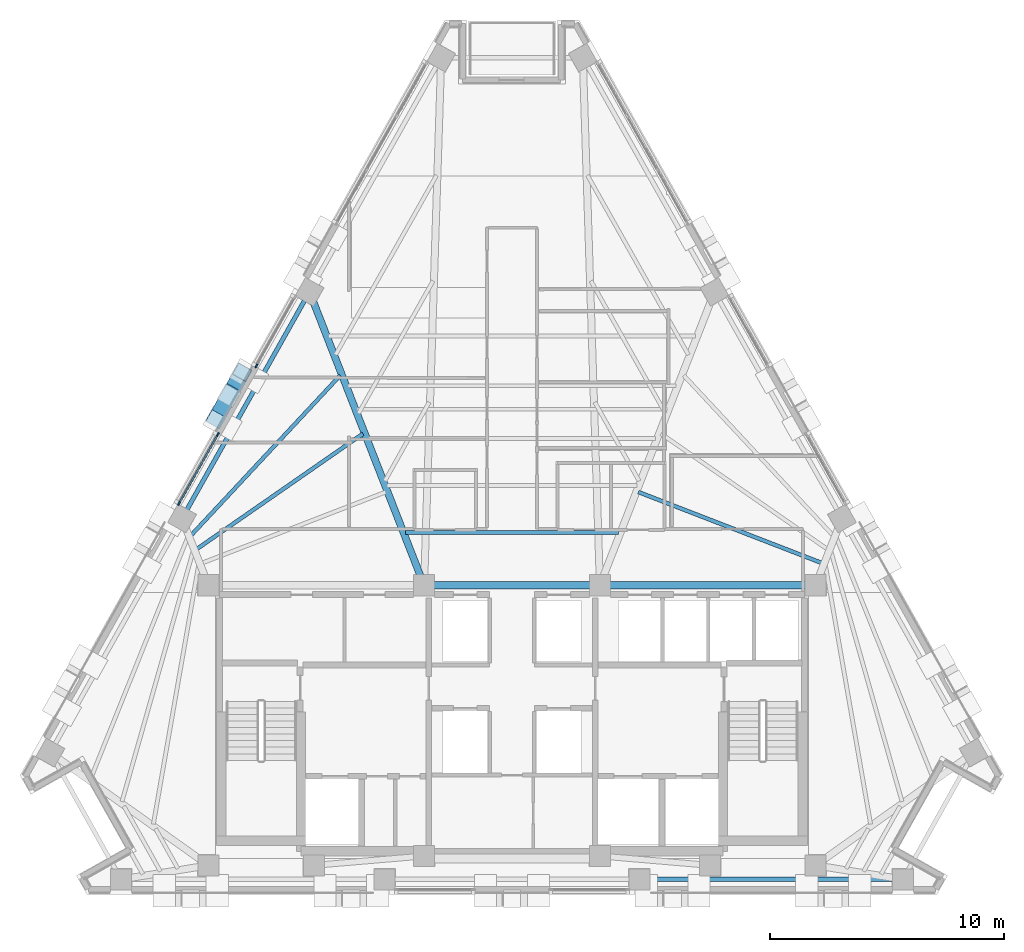
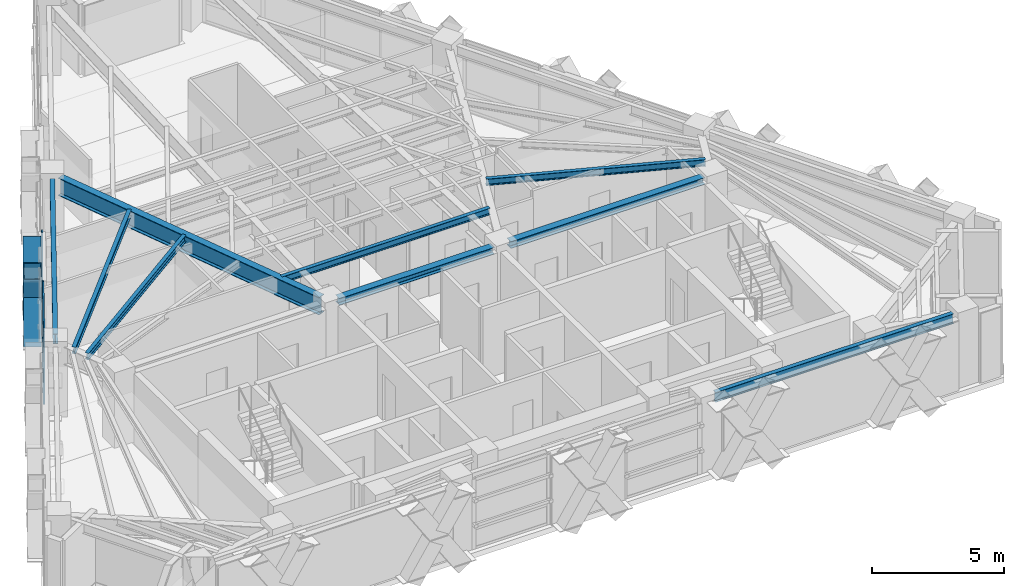
# One storey, part 3 of 15: 9 beams, 9 members, 2 elements without a shape of their own.
"""IFC4 building model written with IfcOpenShell, lengths in metres."""

import ifcopenshell
import ifcopenshell.guid

model = None  # the IFC model being written
_history = None  # IfcOwnerHistory: only IFC2X3 demands one
_inside = {}  # id of a spatial element -> (the spatial element, [elements in it])
_under = {}  # id of a project, library or spatial element -> (it, [spatial elements below it])
_declared = {}  # id of a project -> (the project, [libraries it declares])
_typed = {}  # id of a type object -> (the type object, [elements of that type])
_made_of = {}  # id of a material, layer set ... -> (it, [elements and type objects made of it])


def new_model(schema):
    """Start an empty IFC model of exactly this schema.

    Asked for "IFC4X3", IfcOpenShell would pick the latest addendum, in which some entities
    have other attributes; the version numbers below select the first issue.
    IFC2X3 requires an IfcOwnerHistory on every rooted entity: one is made here for all.
    """
    global model, _history
    if schema == "IFC4X3":
        model = ifcopenshell.file(schema_version=(4, 3, 0, 0))
    else:
        model = ifcopenshell.file(schema=schema)
    _inside.clear()
    _under.clear()
    _declared.clear()
    _typed.clear()
    _made_of.clear()
    _history = None
    if model.schema == "IFC2X3":
        org = make("IfcOrganization", Name="unknown")
        user = make(
            "IfcPersonAndOrganization",
            ThePerson=make("IfcPerson", FamilyName="unknown"),
            TheOrganization=org,
        )
        app = make(
            "IfcApplication",
            ApplicationDeveloper=org,
            Version="unknown",
            ApplicationFullName="unknown",
            ApplicationIdentifier="unknown",
        )
        _history = make(
            "IfcOwnerHistory",
            OwningUser=user,
            OwningApplication=app,
            ChangeAction="ADDED",
            CreationDate=0,
        )
    return model


def make(cls, **values):
    """One entity of the class cls with the attributes given. An attribute that is None is left unset."""
    return model.create_entity(
        cls, **{name: value for name, value in values.items() if value is not None}
    )


def rooted(cls, **values):
    """An entity with a GlobalId (a new one), such as an element, a storey or a relation."""
    return make(cls, GlobalId=ifcopenshell.guid.new(), OwnerHistory=_history, **values)


def si_unit(unit_type, name, prefix=None):
    """IfcSIUnit, for example si_unit("LENGTHUNIT", "METRE", prefix="MILLI")."""
    return make("IfcSIUnit", UnitType=unit_type, Prefix=prefix, Name=name)


def assignment(units):
    """IfcUnitAssignment: the units of a project."""
    return None if units is None else make("IfcUnitAssignment", Units=units)


def point(xyz):
    """IfcCartesianPoint."""
    return None if xyz is None else make("IfcCartesianPoint", Coordinates=xyz)


def direction(xyz):
    """IfcDirection."""
    return None if xyz is None else make("IfcDirection", DirectionRatios=xyz)


def frame(location, z_axis=None, x_axis=None):
    """IfcAxis2Placement3D, a coordinate frame: its origin and axes. An axis left out is left unset."""
    return make(
        "IfcAxis2Placement3D",
        Location=point(location),
        Axis=direction(z_axis),
        RefDirection=direction(x_axis),
    )


def frame_2d(location, x_axis=None):
    """IfcAxis2Placement2D, a coordinate frame in the plane: its origin and x axis."""
    return make(
        "IfcAxis2Placement2D", Location=point(location), RefDirection=direction(x_axis)
    )


def origin():
    """The frame at (0, 0, 0) with its axes left unset."""
    return frame((0.0, 0.0, 0.0))


def origin_2d():
    """The frame at (0, 0) in the plane with its x axis left unset."""
    return frame_2d((0.0, 0.0))


def place(relative_to, where):
    """IfcLocalPlacement: puts the frame where relative to a parent placement (None: the world)."""
    return make(
        "IfcLocalPlacement", PlacementRelTo=relative_to, RelativePlacement=where
    )


def context(
    kind, dimensions, precision=None, world=None, true_north=None, identifier=None
):
    """IfcGeometricRepresentationContext, for example the 3D "Model" context."""
    return make(
        "IfcGeometricRepresentationContext",
        ContextIdentifier=identifier,
        ContextType=kind,
        CoordinateSpaceDimension=dimensions,
        Precision=precision,
        WorldCoordinateSystem=world,
        TrueNorth=true_north,
    )


def subcontext(parent, identifier, kind, view, scale=None):
    """IfcGeometricRepresentationSubContext, for example "Body" below "Model"."""
    return make(
        "IfcGeometricRepresentationSubContext",
        ContextIdentifier=identifier,
        ContextType=kind,
        ParentContext=parent,
        TargetScale=scale,
        TargetView=view,
    )


def project(units=None, contexts=None):
    """IfcProject with its units and contexts."""
    return rooted(
        "IfcProject",
        Name="project",
        RepresentationContexts=contexts,
        UnitsInContext=assignment(units),
    )


def spatial(cls, under=None, at=None, **own):
    """A site, building, storey or space (cls), placed at a placement, below another one or the project."""
    s = rooted(cls, ObjectPlacement=at, **own)
    if under is not None:
        _under.setdefault(under.id(), (under, []))[1].append(s)
    return s


def profile(cls, at=None, kind="AREA", **sizes):
    """A parametric profile (cls). Its sizes go by their IFC names, for example OverallWidth=200.0."""
    return make(cls, ProfileType=kind, Position=at, **sizes)


def rectangle(**sizes):
    """IfcRectangleProfileDef."""
    return profile("IfcRectangleProfileDef", **sizes)


def hollow_rectangle(**sizes):
    """IfcRectangleHollowProfileDef."""
    return profile("IfcRectangleHollowProfileDef", **sizes)


def i_section(**sizes):
    """IfcIShapeProfileDef."""
    return profile("IfcIShapeProfileDef", **sizes)


def extrude(swept, where, along, depth):
    """IfcExtrudedAreaSolid: the profile swept, set in the frame where, extruded along a direction by depth."""
    return make(
        "IfcExtrudedAreaSolid",
        SweptArea=swept,
        Position=where,
        ExtrudedDirection=direction(along),
        Depth=depth,
    )


def shape(context_of_items, identifier, shape_type, items):
    """IfcShapeRepresentation: the items that make up one representation, for example the "Body"."""
    return make(
        "IfcShapeRepresentation",
        ContextOfItems=context_of_items,
        RepresentationIdentifier=identifier,
        RepresentationType=shape_type,
        Items=items,
    )


def material(Name=None, Category=None):
    """IfcMaterial."""
    return make("IfcMaterial", Name=Name, Category=Category)


def material_profile(
    of_material, cross_section, Name=None, Category=None, Priority=None
):
    """IfcMaterialProfile: a cross section and its material."""
    return make(
        "IfcMaterialProfile",
        Name=Name,
        Material=of_material,
        Profile=cross_section,
        Priority=Priority,
        Category=Category,
    )


def profile_set(profiles, Name=None, composite=None):
    """IfcMaterialProfileSet."""
    return make(
        "IfcMaterialProfileSet",
        Name=Name,
        MaterialProfiles=profiles,
        CompositeProfile=composite,
    )


def made_of(thing, what):
    """Note that an element or type object is made of a material, layer set ...; save() writes the relation."""
    if what is not None:
        _made_of.setdefault(what.id(), (what, []))[1].append(thing)
    return thing


def type_object(cls, material=None, **own):
    """A type object (cls), such as IfcWallType, which elements share."""
    return made_of(rooted(cls, **own), material)


def element(
    cls,
    number,
    at=None,
    inside=None,
    cuts=None,
    type_object=None,
    material=None,
    context=None,
    identifier="Body",
    shape_type=None,
    held_by="IfcProductDefinitionShape",
    body=None,
    shapes=None,
    **own,
):
    """One element of the class cls, such as IfcWall. Its Tag is "e" and its number.

    at: its placement. inside: the storey or other place that contains it. cuts: it is an
    opening in that element (IfcRelVoidsElement). A single representation is given by context,
    identifier, shape_type and body (its items); several are given by shapes. held_by: the class
    of the entity that holds the representations. save() writes the other relations.
    """
    e = rooted(cls, Tag="e%d" % number, ObjectPlacement=at, **own)
    if body is not None:
        shapes = [shape(context, identifier, shape_type, body)]
    if shapes is not None:
        e.Representation = make(held_by, Representations=shapes)
    if inside is not None:
        _inside.setdefault(inside.id(), (inside, []))[1].append(e)
    if cuts is not None:
        rooted(
            "IfcRelVoidsElement", RelatingBuildingElement=cuts, RelatedOpeningElement=e
        )
    if type_object is not None:
        _typed.setdefault(type_object.id(), (type_object, []))[1].append(e)
    return made_of(e, material)


def aggregate(whole, parts):
    """IfcRelAggregates: a whole, such as a stair, and the parts it consists of."""
    return rooted("IfcRelAggregates", RelatingObject=whole, RelatedObjects=parts)


def save(model, path):
    """Write the relations noted so far, then the file.

    IfcRelAggregates (storeys below a building ...), IfcRelContainedInSpatialStructure (elements
    in a storey), IfcRelDefinesByType, IfcRelAssociatesMaterial and IfcRelDeclares: one each for
    every whole, place, type object, material and project.
    """
    for whole, parts in _under.values():
        aggregate(whole, parts)
    for where, things in _inside.values():
        rooted(
            "IfcRelContainedInSpatialStructure",
            RelatedElements=things,
            RelatingStructure=where,
        )
    for kind, things in _typed.values():
        rooted("IfcRelDefinesByType", RelatedObjects=things, RelatingType=kind)
    for what, things in _made_of.values():
        rooted("IfcRelAssociatesMaterial", RelatedObjects=things, RelatingMaterial=what)
    for by, libraries in _declared.values():
        rooted("IfcRelDeclares", RelatingContext=by, RelatedDefinitions=libraries)
    model.write(path)


model = new_model("IFC4")

# Units and contexts
model_context = context("Model", 3, precision=1e-05, world=origin(), true_north=direction((0.0, 1.0)))
body_context = subcontext(model_context, "Body", "Model", "MODEL_VIEW")
ifc_project = project(units=[si_unit("LENGTHUNIT", "METRE"), si_unit("AREAUNIT", "SQUARE_METRE"), si_unit("VOLUMEUNIT", "CUBIC_METRE"), si_unit("PLANEANGLEUNIT", "RADIAN"), si_unit("MASSUNIT", "GRAM", prefix="KILO")], contexts=[model_context])

# Site, building, storey
site_placement = place(None, origin())
site = spatial("IfcSite", under=ifc_project, at=site_placement, CompositionType="ELEMENT")
building_placement = place(site_placement, origin())
building = spatial("IfcBuilding", under=site, at=building_placement, Name="Quenlor Broadcast Tower", CompositionType="ELEMENT")
storey_placement = place(building_placement, frame((0.0, 0.0, 183.39990234375)))
storey = spatial("IfcBuildingStorey", under=building, at=storey_placement, Name="L50", CompositionType="ELEMENT", Elevation=183.39990234375)

# Curtain wall, members
ifc_material_1 = material(Name="Architectural Terracotta and Low-E Glazing", Category="masonry")
curtain_wall_type = type_object("IfcCurtainWallType", Name="Unitised Terracotta Curtain Wall System Z4", PredefinedType="NOTDEFINED", material=ifc_material_1)
curtain_wall_1_placement = place(storey_placement, origin())
curtain_wall_1 = element("IfcCurtainWall", 1, at=curtain_wall_1_placement, inside=storey, type_object=curtain_wall_type, Name="L50 Curtain Wall CW4 (L50-NW-G1)", PredefinedType="NOTDEFINED")
ifc_material_2 = material(Name="Aluminium 6063-T6", Category="aluminium")
ifc_material_profile_1 = material_profile(ifc_material_2, rectangle(XDim=0.068115234375, YDim=0.179931640625, at=origin_2d()))
ifc_profile_set_1 = profile_set([ifc_material_profile_1], Name="Aluminium 6063-T6 MULL68x180")
member_type_1 = type_object("IfcMemberType", Name="CW4 Aluminium Mullion MULL_CW4", PredefinedType="MULLION", material=ifc_profile_set_1)
member_1_placement = place(storey_placement, frame((-14.20068359375, -1.3046875, 0.0), z_axis=(0.0, 0.0, 1.0), x_axis=(-0.871577871382, 0.490257089819, 0.0)))
member_1 = element("IfcMember", 2, at=member_1_placement, type_object=member_type_1, Name="CW4 mullion 1", PredefinedType="MULLION", context=body_context, shape_type="SweptSolid", body=[
    extrude(rectangle(XDim=0.068115234375, YDim=0.179931640625, at=origin_2d()), origin(), (0.0, 0.0, 1.0), 3.25),
])
member_2_placement = place(storey_placement, frame((-12.55126953125, 1.627685546875, 0.0), z_axis=(0.0, 0.0, 1.0), x_axis=(-0.871577871382, 0.490257089819, 0.0)))
member_2 = element("IfcMember", 3, at=member_2_placement, type_object=member_type_1, Name="CW4 mullion 2", PredefinedType="MULLION", context=body_context, shape_type="SweptSolid", body=[
    extrude(rectangle(XDim=0.068115234375, YDim=0.179931640625, at=origin_2d()), origin(), (0.0, 0.0, 1.0), 3.25),
])

# Curtain wall, member
curtain_wall_2_placement = place(storey_placement, origin())
curtain_wall_2 = element("IfcCurtainWall", 4, at=curtain_wall_2_placement, inside=storey, type_object=curtain_wall_type, Name="L50 Curtain Wall CW4 (L50-NW-G2)", PredefinedType="NOTDEFINED")
member_3_placement = place(storey_placement, frame((-10.906494140625, 4.5517578125, 0.0), z_axis=(0.0, 0.0, 1.0), x_axis=(-0.871577871382, 0.490257089819, 0.0)))
member_3 = element("IfcMember", 5, at=member_3_placement, type_object=member_type_1, Name="CW4 mullion 1", PredefinedType="MULLION", context=body_context, shape_type="SweptSolid", body=[
    extrude(rectangle(XDim=0.068115234375, YDim=0.179931640625, at=origin_2d()), origin(), (0.0, 0.0, 1.0), 3.25),
])
aggregate(curtain_wall_2, [member_3])

# Member
ifc_material_3 = material(Name="Aluminium 6063-T6", Category="aluminium")
ifc_material_profile_2 = material_profile(ifc_material_3, rectangle(XDim=0.068115234375, YDim=0.14990234375, at=origin_2d()))
ifc_profile_set_2 = profile_set([ifc_material_profile_2], Name="Aluminium 6063-T6 TRAN68x150")
member_type_2 = type_object("IfcMemberType", Name="CW4 Aluminium Transom TRAN_CW4", PredefinedType="USERDEFINED", material=ifc_profile_set_2)
member_4_placement = place(storey_placement, frame((-14.18408203125, -1.275146484375, 0.0341796875), z_axis=(0.490233108043, 0.871591360546, 0.0), x_axis=(-0.871591360546, 0.490233108043, 0.0)))
member_4 = element("IfcMember", 6, at=member_4_placement, type_object=member_type_2, Name="CW4 transom 1.1", ObjectType="TRANSOM", PredefinedType="USERDEFINED", context=body_context, shape_type="SweptSolid", body=[
    extrude(rectangle(XDim=0.068115234375, YDim=0.14990234375, at=origin_2d()), origin(), (0.0, 0.0, 1.0), 3.29638671875),
])

member_5_placement = place(storey_placement, frame((-14.18408203125, -1.275146484375, 0.9501953125), z_axis=(0.490233108043, 0.871591360546, 0.0), x_axis=(-0.871591360546, 0.490233108043, 0.0)))
member_5 = element("IfcMember", 7, at=member_5_placement, type_object=member_type_2, Name="CW4 transom 1.2", ObjectType="TRANSOM", PredefinedType="USERDEFINED", context=body_context, shape_type="SweptSolid", body=[
    extrude(rectangle(XDim=0.068115234375, YDim=0.14990234375, at=origin_2d()), origin(), (0.0, 0.0, 1.0), 3.29638671875),
])

member_6_placement = place(storey_placement, frame((-14.18408203125, -1.275146484375, 3.216064453125), z_axis=(0.490233108043, 0.871591360546, 0.0), x_axis=(-0.871591360546, 0.490233108043, 0.0)))
member_6 = element("IfcMember", 8, at=member_6_placement, type_object=member_type_2, Name="CW4 transom 1.3", ObjectType="TRANSOM", PredefinedType="USERDEFINED", context=body_context, shape_type="SweptSolid", body=[
    extrude(rectangle(XDim=0.068115234375, YDim=0.14990234375, at=origin_2d()), origin(), (0.0, 0.0, 1.0), 3.29638671875),
])

aggregate(curtain_wall_1, [member_1, member_2, member_4, member_5, member_6])

# Beams
ifc_material_4 = material(Name="Steel S355", Category="steel")
ifc_material_profile_3 = material_profile(ifc_material_4, i_section(OverallWidth=0.304931640625, OverallDepth=0.30810546875, WebThickness=0.010009765625, FlangeThickness=0.015380859375, FilletRadius=0.0166015625, at=origin_2d()))
ifc_profile_set_3 = profile_set([ifc_material_profile_3], Name="Steel S355 310UC96.8")
beam_type_1 = type_object("IfcBeamType", Name="Core Header Beam Steel S355 310UC96.8", PredefinedType="BEAM", material=ifc_profile_set_3)
beam_1_placement = place(storey_placement, frame((-3.389892578125, -4.800048828125, 3.09619140625), z_axis=(1.0, 0.0, 0.0), x_axis=(0.0, 1.0, 0.0)))
element("IfcBeam", 9, at=beam_1_placement, inside=storey, type_object=beam_type_1, Name="L50 Core Header Beam 2", PredefinedType="BEAM", context=body_context, shape_type="SweptSolid", body=[
    extrude(i_section(OverallWidth=0.304931640625, OverallDepth=0.30810546875, WebThickness=0.010009765625, FlangeThickness=0.015380859375, FilletRadius=0.0166015625, at=origin_2d()), origin(), (0.0, 0.0, 1.0), 6.77978515625),
])
ifc_material_5 = material(Name="Steel S355", Category="steel")
ifc_material_profile_4 = material_profile(ifc_material_5, i_section(OverallWidth=0.306884765625, OverallDepth=0.314697265625, WebThickness=0.011962890625, FlangeThickness=0.018798828125, FilletRadius=0.0166015625, at=origin_2d()))
ifc_profile_set_4 = profile_set([ifc_material_profile_4], Name="Steel S355 310UC118")
beam_type_2 = type_object("IfcBeamType", Name="Core Tie Beam Steel S355 310UC118", PredefinedType="BEAM", material=ifc_profile_set_4)
beam_2_placement = place(storey_placement, frame((4.110107421875, -4.800048828125, 3.0927734375), z_axis=(1.0, 0.0, 0.0), x_axis=(0.0, 1.0, 0.0)))
element("IfcBeam", 10, at=beam_2_placement, inside=storey, type_object=beam_type_2, Name="L50 Core Tie Beam 3", PredefinedType="BEAM", context=body_context, shape_type="SweptSolid", body=[
    extrude(i_section(OverallWidth=0.306884765625, OverallDepth=0.314697265625, WebThickness=0.011962890625, FlangeThickness=0.018798828125, FilletRadius=0.0166015625, at=origin_2d()), origin(), (0.0, 0.0, 1.0), 8.47998046875),
])

# Members
ifc_material_6 = material(Name="Steel S355", Category="steel")
ifc_material_profile_5 = material_profile(ifc_material_6, hollow_rectangle(XDim=0.679931640625, YDim=0.679931640625, WallThickness=0.02490234375, at=origin_2d()))
ifc_profile_set_5 = profile_set([ifc_material_profile_5], Name="Steel S355 RHS680x680x25")
member_type_3 = type_object("IfcMemberType", Name="Perimeter Diagonal Lattice Brace Z3-Z4 Steel S355 RHS680x25", PredefinedType="BRACE", material=ifc_profile_set_5)
member_7_placement = place(storey_placement, frame((-12.6376953125, 2.279541015625, -0.119873046875), z_axis=(0.269493020061, 0.479144022478, 0.835340959047), x_axis=(-0.871595351467, 0.490226012469, 0.0)))
element("IfcMember", 11, at=member_7_placement, inside=storey, type_object=member_type_3, Name="L50 Perimeter Diamond Lattice NW-C3XA", PredefinedType="BRACE", context=body_context, shape_type="SweptSolid", body=[
    extrude(hollow_rectangle(XDim=0.679931640625, YDim=0.679931640625, WallThickness=0.02490234375, at=origin_2d()), origin(), (0.0, 0.0, 1.0), 4.18994140625),
])
for number, where, z_axis, x_axis, name in (
    (12, (-11.508544921875, 4.287109375, -0.119873046875), (-0.269535527865, -0.479130165145, 0.835335192642), (0.871556252289, -0.490295522207, 0.0), "L50 Perimeter Diamond Lattice NW-C3XB1"),
    (13, (-12.140380859375, 3.16357421875, 1.8388671875), (-0.269535527865, -0.479130165145, 0.835335192642), (0.871556252289, -0.490295522207, 0.0), "L50 Perimeter Diamond Lattice NW-C3XB2"),
):
    element("IfcMember", number, at=place(storey_placement, frame(where, z_axis=z_axis, x_axis=x_axis)), inside=storey, type_object=member_type_3, Name=name, PredefinedType="BRACE", context=body_context, shape_type="SweptSolid", body=[
        extrude(hollow_rectangle(XDim=0.679931640625, YDim=0.679931640625, WallThickness=0.02490234375, at=origin_2d()), origin(), (0.0, 0.0, 1.0), 1.844970703125),
    ])

# Beams
ifc_material_7 = material(Name="Steel S355", Category="steel")
ifc_material_profile_6 = material_profile(ifc_material_7, i_section(OverallWidth=0.18994140625, OverallDepth=0.453857421875, WebThickness=0.008544921875, FlangeThickness=0.0126953125, FilletRadius=0.011474609375, at=origin_2d()))
ifc_profile_set_6 = profile_set([ifc_material_profile_6], Name="Steel S355 460UB67.1")
beam_type_3 = type_object("IfcBeamType", Name="Perimeter Spandrel Beam Z4 Steel S355 460UB67.1", PredefinedType="SPANDREL", material=ifc_profile_set_6)
beam_3_placement = place(storey_placement, frame((5.847900390625, -17.35009765625, 3.023193359375), z_axis=(1.0, 0.0, 0.0), x_axis=(0.0, 1.0, 0.0)))
element("IfcBeam", 14, at=beam_3_placement, inside=storey, type_object=beam_type_3, Name="L50 Spandrel Beam S3-S4", PredefinedType="SPANDREL", context=body_context, shape_type="SweptSolid", body=[
    extrude(i_section(OverallWidth=0.18994140625, OverallDepth=0.453857421875, WebThickness=0.008544921875, FlangeThickness=0.0126953125, FilletRadius=0.011474609375, at=origin_2d()), origin(), (0.0, 0.0, 1.0), 10.41796875),
])
beam_4_placement = place(storey_placement, frame((-8.840576171875, 7.357666015625, 3.023193359375), z_axis=(-0.490263496537, -0.871574267612, 0.0), x_axis=(0.871574267612, -0.490263496537, 0.0)))
element("IfcBeam", 15, at=beam_4_placement, inside=storey, type_object=beam_type_3, Name="L50 Spandrel Beam NW2-NW3", PredefinedType="SPANDREL", context=body_context, shape_type="SweptSolid", body=[
    extrude(i_section(OverallWidth=0.18994140625, OverallDepth=0.453857421875, WebThickness=0.008544921875, FlangeThickness=0.0126953125, FilletRadius=0.011474609375, at=origin_2d()), origin(), (0.0, 0.0, 1.0), 10.271728515625),
])
ifc_material_8 = material(Name="Steel S355", Category="steel")
ifc_material_profile_7 = material_profile(ifc_material_8, i_section(OverallWidth=0.300048828125, OverallDepth=0.81591796875, WebThickness=0.013916015625, FlangeThickness=0.028076171875, FilletRadius=0.013916015625, at=origin_2d()))
ifc_profile_set_7 = profile_set([ifc_material_profile_7], Name="Steel S355 800WB192")
beam_type_4 = type_object("IfcBeamType", Name="Sky Lobby Primary Girder Steel S355 800WB192", PredefinedType="BEAM", material=ifc_profile_set_7)
beam_5_placement = place(storey_placement, frame((-8.490478515625, 7.3330078125, 2.842041015625), z_axis=(0.363926160921, -0.931427801495, 0.0), x_axis=(0.931427801495, 0.363926160921, 0.0)))
element("IfcBeam", 16, at=beam_5_placement, inside=storey, type_object=beam_type_4, Name="L50 Primary Radial Beam NW2", PredefinedType="BEAM", context=body_context, shape_type="SweptSolid", body=[
    extrude(i_section(OverallWidth=0.300048828125, OverallDepth=0.81591796875, WebThickness=0.013916015625, FlangeThickness=0.028076171875, FilletRadius=0.013916015625, at=origin_2d()), origin(), (0.0, 0.0, 1.0), 12.646240234375),
])
ifc_material_9 = material(Name="Steel S355", Category="steel")
ifc_material_profile_8 = material_profile(ifc_material_9, i_section(OverallWidth=0.166015625, OverallDepth=0.30712890625, WebThickness=0.006591796875, FlangeThickness=0.01171875, FilletRadius=0.011474609375, at=origin_2d()))
ifc_profile_set_8 = profile_set([ifc_material_profile_8], Name="Steel S355 310UB46.2")
beam_type_5 = type_object("IfcBeamType", Name="Tower Composite Joist Z4-Z5 Steel S355 310UB46.2", PredefinedType="JOIST", material=ifc_profile_set_8)
beam_6_placement = place(storey_placement, frame((-4.550048828125, -2.54736328125, 3.096435546875), z_axis=(1.0, 0.0, 0.0), x_axis=(0.0, 1.0, 0.0)))
element("IfcBeam", 17, at=beam_6_placement, inside=storey, type_object=beam_type_5, Name="L50 Secondary Composite Joist 1", PredefinedType="JOIST", context=body_context, shape_type="SweptSolid", body=[
    extrude(i_section(OverallWidth=0.166015625, OverallDepth=0.30712890625, WebThickness=0.006591796875, FlangeThickness=0.01171875, FilletRadius=0.011474609375, at=origin_2d()), origin(), (0.0, 0.0, 1.0), 9.10009765625),
])
beam_7_placement = place(storey_placement, frame((-13.470458984375, -3.273681640625, 3.096435546875), z_axis=(0.821539857981, 0.570151086773, 0.0), x_axis=(-0.570151086773, 0.821539857981, 0.0)))
element("IfcBeam", 18, at=beam_7_placement, inside=storey, type_object=beam_type_5, Name="L50 Secondary Composite Joist 8", PredefinedType="JOIST", context=body_context, shape_type="SweptSolid", body=[
    extrude(i_section(OverallWidth=0.166015625, OverallDepth=0.30712890625, WebThickness=0.006591796875, FlangeThickness=0.01171875, FilletRadius=0.011474609375, at=origin_2d()), origin(), (0.0, 0.0, 1.0), 8.656982421875),
])
beam_8_placement = place(storey_placement, frame((-13.707275390625, -2.691162109375, 3.096435546875), z_axis=(0.682034672805, 0.731319837754, 0.0), x_axis=(-0.731319837754, 0.682034672805, 0.0)))
element("IfcBeam", 19, at=beam_8_placement, inside=storey, type_object=beam_type_5, Name="L50 Secondary Composite Joist 9", PredefinedType="JOIST", context=body_context, shape_type="SweptSolid", body=[
    extrude(i_section(OverallWidth=0.166015625, OverallDepth=0.30712890625, WebThickness=0.006591796875, FlangeThickness=0.01171875, FilletRadius=0.011474609375, at=origin_2d()), origin(), (0.0, 0.0, 1.0), 9.357421875),
])
beam_9_placement = place(storey_placement, frame((13.236083984375, -3.85986328125, 3.096435546875), z_axis=(-0.932639299023, 0.360810113381, 0.0), x_axis=(-0.360810113381, -0.932639299023, 0.0)))
element("IfcBeam", 20, at=beam_9_placement, inside=storey, type_object=beam_type_5, Name="L50 Secondary Composite Joist 10", PredefinedType="JOIST", context=body_context, shape_type="SweptSolid", body=[
    extrude(i_section(OverallWidth=0.166015625, OverallDepth=0.30712890625, WebThickness=0.006591796875, FlangeThickness=0.01171875, FilletRadius=0.011474609375, at=origin_2d()), origin(), (0.0, 0.0, 1.0), 8.413330078125),
])

save(model, "model.ifc")
